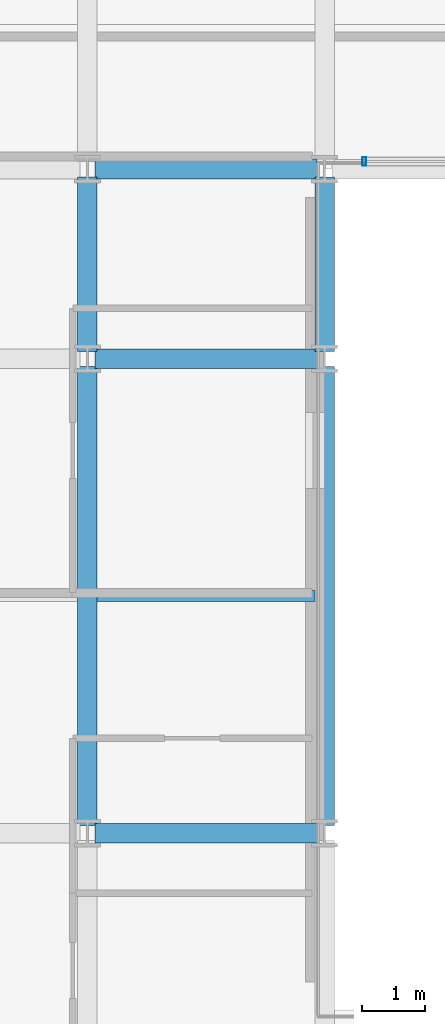
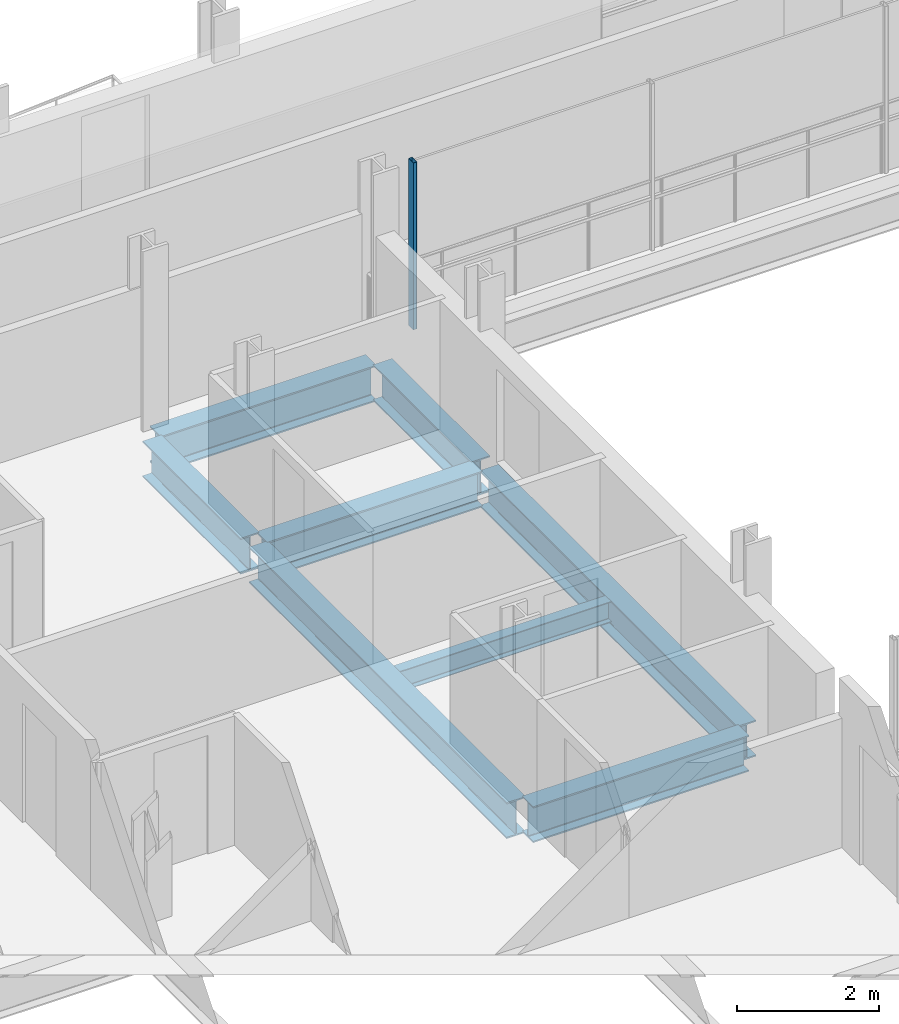
# One storey, part 8 of 39: 8 beams, 1 member, 1 element without a shape of its own.
"""IFC4 building model written with IfcOpenShell, lengths in metres."""

import ifcopenshell
import ifcopenshell.guid

model = None  # the IFC model being written
_history = None  # IfcOwnerHistory: only IFC2X3 demands one
_inside = {}  # id of a spatial element -> (the spatial element, [elements in it])
_under = {}  # id of a project, library or spatial element -> (it, [spatial elements below it])
_declared = {}  # id of a project -> (the project, [libraries it declares])
_typed = {}  # id of a type object -> (the type object, [elements of that type])
_made_of = {}  # id of a material, layer set ... -> (it, [elements and type objects made of it])


def new_model(schema):
    """Start an empty IFC model of exactly this schema.

    Asked for "IFC4X3", IfcOpenShell would pick the latest addendum, in which some entities
    have other attributes; the version numbers below select the first issue.
    IFC2X3 requires an IfcOwnerHistory on every rooted entity: one is made here for all.
    """
    global model, _history
    if schema == "IFC4X3":
        model = ifcopenshell.file(schema_version=(4, 3, 0, 0))
    else:
        model = ifcopenshell.file(schema=schema)
    _inside.clear()
    _under.clear()
    _declared.clear()
    _typed.clear()
    _made_of.clear()
    _history = None
    if model.schema == "IFC2X3":
        org = make("IfcOrganization", Name="unknown")
        user = make(
            "IfcPersonAndOrganization",
            ThePerson=make("IfcPerson", FamilyName="unknown"),
            TheOrganization=org,
        )
        app = make(
            "IfcApplication",
            ApplicationDeveloper=org,
            Version="unknown",
            ApplicationFullName="unknown",
            ApplicationIdentifier="unknown",
        )
        _history = make(
            "IfcOwnerHistory",
            OwningUser=user,
            OwningApplication=app,
            ChangeAction="ADDED",
            CreationDate=0,
        )
    return model


def make(cls, **values):
    """One entity of the class cls with the attributes given. An attribute that is None is left unset."""
    return model.create_entity(
        cls, **{name: value for name, value in values.items() if value is not None}
    )


def rooted(cls, **values):
    """An entity with a GlobalId (a new one), such as an element, a storey or a relation."""
    return make(cls, GlobalId=ifcopenshell.guid.new(), OwnerHistory=_history, **values)


def si_unit(unit_type, name, prefix=None):
    """IfcSIUnit, for example si_unit("LENGTHUNIT", "METRE", prefix="MILLI")."""
    return make("IfcSIUnit", UnitType=unit_type, Prefix=prefix, Name=name)


def assignment(units):
    """IfcUnitAssignment: the units of a project."""
    return None if units is None else make("IfcUnitAssignment", Units=units)


def point(xyz):
    """IfcCartesianPoint."""
    return None if xyz is None else make("IfcCartesianPoint", Coordinates=xyz)


def direction(xyz):
    """IfcDirection."""
    return None if xyz is None else make("IfcDirection", DirectionRatios=xyz)


def frame(location, z_axis=None, x_axis=None):
    """IfcAxis2Placement3D, a coordinate frame: its origin and axes. An axis left out is left unset."""
    return make(
        "IfcAxis2Placement3D",
        Location=point(location),
        Axis=direction(z_axis),
        RefDirection=direction(x_axis),
    )


def frame_2d(location, x_axis=None):
    """IfcAxis2Placement2D, a coordinate frame in the plane: its origin and x axis."""
    return make(
        "IfcAxis2Placement2D", Location=point(location), RefDirection=direction(x_axis)
    )


def origin():
    """The frame at (0, 0, 0) with its axes left unset."""
    return frame((0.0, 0.0, 0.0))


def origin_2d():
    """The frame at (0, 0) in the plane with its x axis left unset."""
    return frame_2d((0.0, 0.0))


def place(relative_to, where):
    """IfcLocalPlacement: puts the frame where relative to a parent placement (None: the world)."""
    return make(
        "IfcLocalPlacement", PlacementRelTo=relative_to, RelativePlacement=where
    )


def context(
    kind, dimensions, precision=None, world=None, true_north=None, identifier=None
):
    """IfcGeometricRepresentationContext, for example the 3D "Model" context."""
    return make(
        "IfcGeometricRepresentationContext",
        ContextIdentifier=identifier,
        ContextType=kind,
        CoordinateSpaceDimension=dimensions,
        Precision=precision,
        WorldCoordinateSystem=world,
        TrueNorth=true_north,
    )


def subcontext(parent, identifier, kind, view, scale=None):
    """IfcGeometricRepresentationSubContext, for example "Body" below "Model"."""
    return make(
        "IfcGeometricRepresentationSubContext",
        ContextIdentifier=identifier,
        ContextType=kind,
        ParentContext=parent,
        TargetScale=scale,
        TargetView=view,
    )


def project(units=None, contexts=None):
    """IfcProject with its units and contexts."""
    return rooted(
        "IfcProject",
        Name="project",
        RepresentationContexts=contexts,
        UnitsInContext=assignment(units),
    )


def spatial(cls, under=None, at=None, **own):
    """A site, building, storey or space (cls), placed at a placement, below another one or the project."""
    s = rooted(cls, ObjectPlacement=at, **own)
    if under is not None:
        _under.setdefault(under.id(), (under, []))[1].append(s)
    return s


def profile(cls, at=None, kind="AREA", **sizes):
    """A parametric profile (cls). Its sizes go by their IFC names, for example OverallWidth=200.0."""
    return make(cls, ProfileType=kind, Position=at, **sizes)


def hollow_rectangle(**sizes):
    """IfcRectangleHollowProfileDef."""
    return profile("IfcRectangleHollowProfileDef", **sizes)


def i_section(**sizes):
    """IfcIShapeProfileDef."""
    return profile("IfcIShapeProfileDef", **sizes)


def extrude(swept, where, along, depth):
    """IfcExtrudedAreaSolid: the profile swept, set in the frame where, extruded along a direction by depth."""
    return make(
        "IfcExtrudedAreaSolid",
        SweptArea=swept,
        Position=where,
        ExtrudedDirection=direction(along),
        Depth=depth,
    )


def shape(context_of_items, identifier, shape_type, items):
    """IfcShapeRepresentation: the items that make up one representation, for example the "Body"."""
    return make(
        "IfcShapeRepresentation",
        ContextOfItems=context_of_items,
        RepresentationIdentifier=identifier,
        RepresentationType=shape_type,
        Items=items,
    )


def material(Name=None, Category=None):
    """IfcMaterial."""
    return make("IfcMaterial", Name=Name, Category=Category)


def layer(
    of_material, thickness, ventilated=None, Name=None, Category=None, Priority=None
):
    """IfcMaterialLayer: one layer of a wall or slab, of a material (None: an air gap)."""
    return make(
        "IfcMaterialLayer",
        Material=of_material,
        LayerThickness=thickness,
        IsVentilated=ventilated,
        Name=Name,
        Category=Category,
        Priority=Priority,
    )


def layer_set(layers, Name=None):
    """IfcMaterialLayerSet."""
    return make("IfcMaterialLayerSet", MaterialLayers=layers, LayerSetName=Name)


def material_profile(
    of_material, cross_section, Name=None, Category=None, Priority=None
):
    """IfcMaterialProfile: a cross section and its material."""
    return make(
        "IfcMaterialProfile",
        Name=Name,
        Material=of_material,
        Profile=cross_section,
        Priority=Priority,
        Category=Category,
    )


def profile_set(profiles, Name=None, composite=None):
    """IfcMaterialProfileSet."""
    return make(
        "IfcMaterialProfileSet",
        Name=Name,
        MaterialProfiles=profiles,
        CompositeProfile=composite,
    )


def made_of(thing, what):
    """Note that an element or type object is made of a material, layer set ...; save() writes the relation."""
    if what is not None:
        _made_of.setdefault(what.id(), (what, []))[1].append(thing)
    return thing


def type_object(cls, material=None, **own):
    """A type object (cls), such as IfcWallType, which elements share."""
    return made_of(rooted(cls, **own), material)


def element(
    cls,
    number,
    at=None,
    inside=None,
    cuts=None,
    type_object=None,
    material=None,
    context=None,
    identifier="Body",
    shape_type=None,
    held_by="IfcProductDefinitionShape",
    body=None,
    shapes=None,
    **own,
):
    """One element of the class cls, such as IfcWall. Its Tag is "e" and its number.

    at: its placement. inside: the storey or other place that contains it. cuts: it is an
    opening in that element (IfcRelVoidsElement). A single representation is given by context,
    identifier, shape_type and body (its items); several are given by shapes. held_by: the class
    of the entity that holds the representations. save() writes the other relations.
    """
    e = rooted(cls, Tag="e%d" % number, ObjectPlacement=at, **own)
    if body is not None:
        shapes = [shape(context, identifier, shape_type, body)]
    if shapes is not None:
        e.Representation = make(held_by, Representations=shapes)
    if inside is not None:
        _inside.setdefault(inside.id(), (inside, []))[1].append(e)
    if cuts is not None:
        rooted(
            "IfcRelVoidsElement", RelatingBuildingElement=cuts, RelatedOpeningElement=e
        )
    if type_object is not None:
        _typed.setdefault(type_object.id(), (type_object, []))[1].append(e)
    return made_of(e, material)


def aggregate(whole, parts):
    """IfcRelAggregates: a whole, such as a stair, and the parts it consists of."""
    return rooted("IfcRelAggregates", RelatingObject=whole, RelatedObjects=parts)


def save(model, path):
    """Write the relations noted so far, then the file.

    IfcRelAggregates (storeys below a building ...), IfcRelContainedInSpatialStructure (elements
    in a storey), IfcRelDefinesByType, IfcRelAssociatesMaterial and IfcRelDeclares: one each for
    every whole, place, type object, material and project.
    """
    for whole, parts in _under.values():
        aggregate(whole, parts)
    for where, things in _inside.values():
        rooted(
            "IfcRelContainedInSpatialStructure",
            RelatedElements=things,
            RelatingStructure=where,
        )
    for kind, things in _typed.values():
        rooted("IfcRelDefinesByType", RelatedObjects=things, RelatingType=kind)
    for what, things in _made_of.values():
        rooted("IfcRelAssociatesMaterial", RelatedObjects=things, RelatingMaterial=what)
    for by, libraries in _declared.values():
        rooted("IfcRelDeclares", RelatingContext=by, RelatedDefinitions=libraries)
    model.write(path)


model = new_model("IFC4")

# Units and contexts
model_context = context("Model", 3, precision=1e-05, world=origin(), true_north=direction((0.0, 1.0)))
body_context = subcontext(model_context, "Body", "Model", "MODEL_VIEW")
ifc_project = project(units=[si_unit("LENGTHUNIT", "METRE"), si_unit("AREAUNIT", "SQUARE_METRE"), si_unit("VOLUMEUNIT", "CUBIC_METRE"), si_unit("PLANEANGLEUNIT", "RADIAN"), si_unit("MASSUNIT", "GRAM", prefix="KILO")], contexts=[model_context])

# Site, building, storey
site_placement = place(None, origin())
site = spatial("IfcSite", under=ifc_project, at=site_placement, CompositionType="ELEMENT")
building_placement = place(site_placement, origin())
building = spatial("IfcBuilding", under=site, at=building_placement, Name="Brevholm Reach", CompositionType="ELEMENT")
storey_placement = place(building_placement, frame((0.0, 0.0, 90.0)))
storey = spatial("IfcBuildingStorey", under=building, at=storey_placement, Name="L26", CompositionType="ELEMENT", Elevation=90.0)

# Beams
ifc_material_1 = material(Name="Structural Steel S355J2", Category="steel")
ifc_material_profile_1 = material_profile(ifc_material_1, i_section(OverallWidth=0.17138671875, OverallDepth=0.35498046875, WebThickness=0.00732421875, FlangeThickness=0.011474609375, FilletRadius=0.01025390625, at=origin_2d()), Name="UKB 356x171x51")
ifc_profile_set_1 = profile_set([ifc_material_profile_1], Name="Structural Steel S355J2")
beam_type_1 = type_object("IfcBeamType", Name="BM-B356", PredefinedType="BEAM", material=ifc_profile_set_1)
beam_1_placement = place(storey_placement, frame((18.153564453125, 19.75, -0.407470703125), z_axis=(1.0, 0.0, 0.0), x_axis=(0.0, 1.0, 0.0)))
element("IfcBeam", 1, at=beam_1_placement, inside=storey, type_object=beam_type_1, Name="L26 Composite Secondary Floor Beam", PredefinedType="BEAM", context=body_context, shape_type="SweptSolid", body=[
    extrude(i_section(OverallWidth=0.17138671875, OverallDepth=0.35498046875, WebThickness=0.00732421875, FlangeThickness=0.011474609375, FilletRadius=0.01025390625, at=origin_2d()), origin(), (0.0, 0.0, 1.0), 3.44287109375),
])
ifc_material_2 = material(Name="Structural Steel S355J2", Category="steel")
ifc_material_profile_2 = material_profile(ifc_material_2, i_section(OverallWidth=0.30712890625, OverallDepth=0.6201171875, WebThickness=0.01416015625, FlangeThickness=0.023681640625, FilletRadius=0.0166015625, at=origin_2d()), Name="UKB 610x305x179")
ifc_profile_set_2 = profile_set([ifc_material_profile_2], Name="Structural Steel S355J2")
beam_type_2 = type_object("IfcBeamType", Name="BM-UKB610H", PredefinedType="USERDEFINED", material=ifc_profile_set_2)
for number, where, z_axis, x_axis, name in (
    (2, (18.1201171875, 16.0, -0.5400390625), (1.0, 0.0, 0.0), (0.0, 1.0, 0.0), "L26 G-06 Framing Beam"),
    (3, (18.1201171875, 23.5, -0.5400390625), (1.0, 0.0, 0.0), (0.0, 1.0, 0.0), "L26 G-06 Framing Beam"),
    (4, (18.1201171875, 26.5, -0.5400390625), (1.0, 0.0, 0.0), (0.0, 1.0, 0.0), "L26 G-06 Framing Beam"),
):
    element("IfcBeam", number, at=place(storey_placement, frame(where, z_axis=z_axis, x_axis=x_axis)), inside=storey, type_object=beam_type_2, Name=name, ObjectType="GIRDER", PredefinedType="USERDEFINED", context=body_context, shape_type="SweptSolid", body=[
        extrude(i_section(OverallWidth=0.30712890625, OverallDepth=0.6201171875, WebThickness=0.01416015625, FlangeThickness=0.023681640625, FilletRadius=0.0166015625, at=origin_2d()), origin(), (0.0, 0.0, 1.0), 3.509765625),
    ])
beam_2_placement = place(storey_placement, frame((18.0, 16.1201171875, -0.5400390625), z_axis=(0.0, 1.0, 0.0), x_axis=(-1.0, 0.0, 0.0)))
element("IfcBeam", 5, at=beam_2_placement, inside=storey, type_object=beam_type_2, Name="L26 G-06 Framing Beam", ObjectType="GIRDER", PredefinedType="USERDEFINED", context=body_context, shape_type="SweptSolid", body=[
    extrude(i_section(OverallWidth=0.30712890625, OverallDepth=0.6201171875, WebThickness=0.01416015625, FlangeThickness=0.023681640625, FilletRadius=0.0166015625, at=origin_2d()), origin(), (0.0, 0.0, 1.0), 7.259765625),
])
beam_3_placement = place(storey_placement, frame((18.0, 23.6201171875, -0.5400390625), z_axis=(0.0, 1.0, 0.0), x_axis=(-1.0, 0.0, 0.0)))
element("IfcBeam", 6, at=beam_3_placement, inside=storey, type_object=beam_type_2, Name="L26 G-06 Framing Beam", ObjectType="GIRDER", PredefinedType="USERDEFINED", context=body_context, shape_type="SweptSolid", body=[
    extrude(i_section(OverallWidth=0.30712890625, OverallDepth=0.6201171875, WebThickness=0.01416015625, FlangeThickness=0.023681640625, FilletRadius=0.0166015625, at=origin_2d()), origin(), (0.0, 0.0, 1.0), 2.759765625),
])
beam_4_placement = place(storey_placement, frame((21.75, 16.1201171875, -0.5400390625), z_axis=(0.0, 1.0, 0.0), x_axis=(-1.0, 0.0, 0.0)))
element("IfcBeam", 7, at=beam_4_placement, inside=storey, type_object=beam_type_2, Name="L26 G-06 Framing Beam", ObjectType="GIRDER", PredefinedType="USERDEFINED", context=body_context, shape_type="SweptSolid", body=[
    extrude(i_section(OverallWidth=0.30712890625, OverallDepth=0.6201171875, WebThickness=0.01416015625, FlangeThickness=0.023681640625, FilletRadius=0.0166015625, at=origin_2d()), origin(), (0.0, 0.0, 1.0), 7.259765625),
])
beam_5_placement = place(storey_placement, frame((21.75, 23.6201171875, -0.5400390625), z_axis=(0.0, 1.0, 0.0), x_axis=(-1.0, 0.0, 0.0)))
element("IfcBeam", 8, at=beam_5_placement, inside=storey, type_object=beam_type_2, Name="L26 G-06 Framing Beam", ObjectType="GIRDER", PredefinedType="USERDEFINED", context=body_context, shape_type="SweptSolid", body=[
    extrude(i_section(OverallWidth=0.30712890625, OverallDepth=0.6201171875, WebThickness=0.01416015625, FlangeThickness=0.023681640625, FilletRadius=0.0166015625, at=origin_2d()), origin(), (0.0, 0.0, 1.0), 2.759765625),
])

# Curtain wall, member
ifc_material_3 = material(Name="Dark Anodised Aluminium 6063-T6 and Solar-Control Glass", Category="aluminium")
ifc_layer = layer(ifc_material_3, 0.139892578125)
ifc_layer_set = layer_set([ifc_layer], Name="Dark Anodised Aluminium 6063-T6 and Solar-Control Glass")
curtain_wall_type = type_object("IfcCurtainWallType", Name="CW-02", PredefinedType="NOTDEFINED", material=ifc_layer_set)
curtain_wall_placement = place(storey_placement, origin())
curtain_wall = element("IfcCurtainWall", 9, at=curtain_wall_placement, inside=storey, type_object=curtain_wall_type, Name="L26 Curtain Wall CW-02", PredefinedType="NOTDEFINED")
ifc_material_4 = material(Name="Dark Anodised Aluminium 6063-T6", Category="aluminium")
ifc_material_profile_3 = material_profile(ifc_material_4, hollow_rectangle(XDim=0.06005859375, YDim=0.139892578125, WallThickness=0.0048828125, InnerFilletRadius=0.0048828125, OuterFilletRadius=0.010009765625, at=origin_2d()), Name="RHS 140x60x5")
ifc_profile_set_3 = profile_set([ifc_material_profile_3], Name="Dark Anodised Aluminium 6063-T6")
member_type = type_object("IfcMemberType", Name="CWM-140", PredefinedType="MULLION", material=ifc_profile_set_3)
member_placement = place(storey_placement, frame((22.3798828125, 26.6201171875, 0.0), z_axis=(0.0, 0.0, 1.0), x_axis=(-1.0, 0.0, 0.0)))
member = element("IfcMember", 10, at=member_placement, type_object=member_type, Name="CM-140 Mullion 5", PredefinedType="MULLION", context=body_context, shape_type="SweptSolid", body=[
    extrude(hollow_rectangle(XDim=0.06005859375, YDim=0.139892578125, WallThickness=0.0048828125, InnerFilletRadius=0.0048828125, OuterFilletRadius=0.010009765625, at=origin_2d()), origin(), (0.0, 0.0, 1.0), 2.8701171875),
])
aggregate(curtain_wall, [member])

save(model, "model.ifc")
